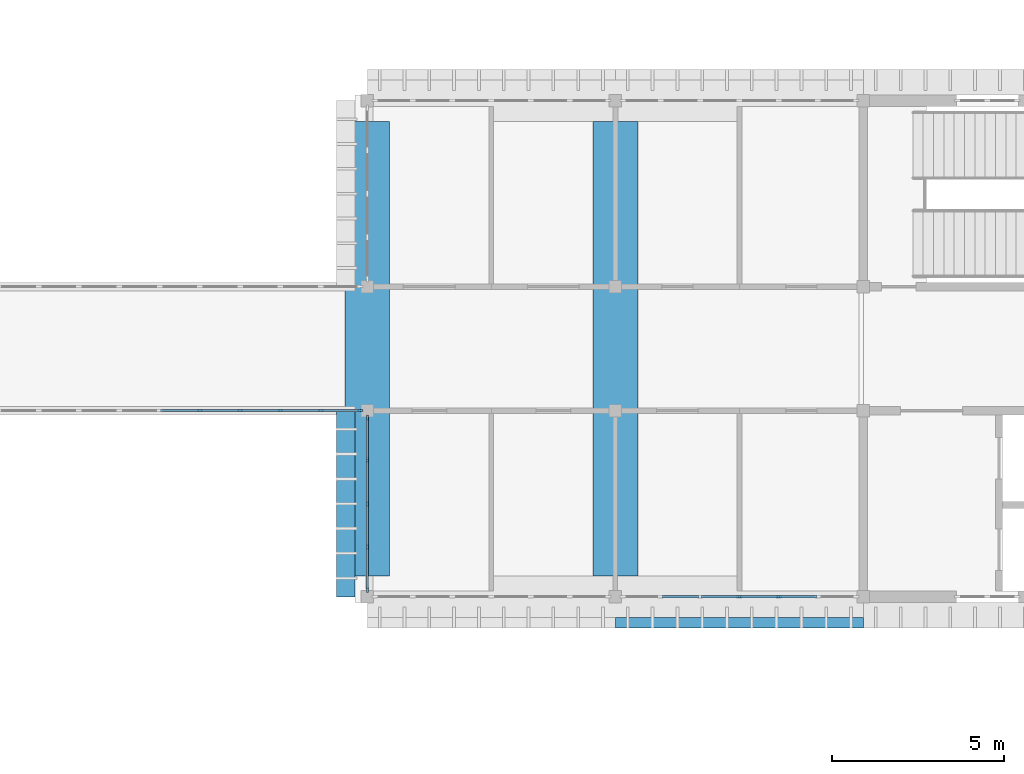
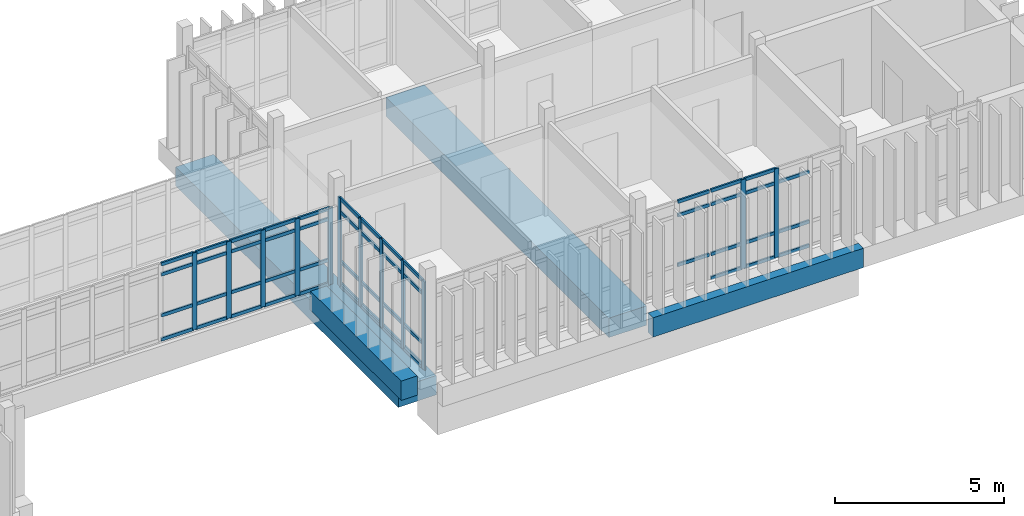
# One storey, part 16 of 69: 64 members, 2 beams, 3 elements without a shape of their own.
"""IFC4 building model written with IfcOpenShell, lengths in metres."""

from ifc_helpers import new_model, si_unit, direction, frame, origin, origin_2d, place, context, subcontext, project, spatial, rectangle, extrude, material, layer, layer_set, material_profile, profile_set, type_object, element, aggregate, save


model = new_model("IFC4")

# Units and contexts
model_context = context("Model", 3, precision=1e-05, world=origin(), true_north=direction((0.0, 1.0)))
body_context = subcontext(model_context, "Body", "Model", "MODEL_VIEW")
ifc_project = project(units=[si_unit("LENGTHUNIT", "METRE"), si_unit("AREAUNIT", "SQUARE_METRE"), si_unit("VOLUMEUNIT", "CUBIC_METRE"), si_unit("PLANEANGLEUNIT", "RADIAN"), si_unit("MASSUNIT", "GRAM", prefix="KILO")], contexts=[model_context])

# Site, building, storey
site_placement = place(None, origin())
site = spatial("IfcSite", under=ifc_project, at=site_placement, CompositionType="ELEMENT")
building_placement = place(site_placement, origin())
building = spatial("IfcBuilding", under=site, at=building_placement, Name="Mazhai Court Health Centre", CompositionType="ELEMENT")
storey_placement = place(building_placement, frame((0.0, 0.0, 6.300048828125)))
storey = spatial("IfcBuildingStorey", under=building, at=storey_placement, Name="L01", CompositionType="ELEMENT", Elevation=6.300048828125)

# Curtain wall, members
ifc_material_1 = material(Name="Teak timber frame, glazed", Category="wood")
ifc_layer = layer(ifc_material_1, 0.10009765625)
ifc_layer_set = layer_set([ifc_layer], Name="CURTAIN WALL TIMBER 1200")
curtain_wall_type = type_object("IfcCurtainWallType", Name="CURTAIN WALL TIMBER 1200", PredefinedType="NOTDEFINED", material=ifc_layer_set)
curtain_wall_1_placement = place(storey_placement, origin())
curtain_wall_1 = element("IfcCurtainWall", 1, at=curtain_wall_1_placement, inside=storey, type_object=curtain_wall_type, Name="CW-V4-L01-A6", PredefinedType="NOTDEFINED")
ifc_material_2 = material(Name="Teak timber", Category="wood")
ifc_material_profile_1 = material_profile(ifc_material_2, rectangle(XDim=0.06005859375, YDim=0.159912109375, at=origin_2d()), Name="CW MULLION 60x160")
ifc_profile_set_1 = profile_set([ifc_material_profile_1], Name="Teak timber")
member_type_1 = type_object("IfcMemberType", Name="CW MULLION 60x160", PredefinedType="MULLION", material=ifc_profile_set_1)
member_1_placement = place(storey_placement, frame((118.93994140625, 13.39990234375, 0.0), z_axis=(0.0, 0.0, 1.0), x_axis=(0.0, -1.0, 0.0)))
member_1 = element("IfcMember", 2, at=member_1_placement, type_object=member_type_1, Name="CW mullion 3", PredefinedType="MULLION", context=body_context, shape_type="SweptSolid", body=[
    extrude(rectangle(XDim=0.06005859375, YDim=0.159912109375, at=origin_2d()), origin(), (0.0, 0.0, 1.0), 3.219970703125),
])
member_2_placement = place(storey_placement, frame((117.800048828125, 13.39990234375, 0.0), z_axis=(0.0, 0.0, 1.0), x_axis=(0.0, -1.0, 0.0)))
member_2 = element("IfcMember", 3, at=member_2_placement, type_object=member_type_1, Name="CW mullion 4", PredefinedType="MULLION", context=body_context, shape_type="SweptSolid", body=[
    extrude(rectangle(XDim=0.06005859375, YDim=0.159912109375, at=origin_2d()), origin(), (0.0, 0.0, 1.0), 3.219970703125),
])

curtain_wall_2_placement = place(storey_placement, origin())
curtain_wall_2 = element("IfcCurtainWall", 4, at=curtain_wall_2_placement, inside=storey, type_object=curtain_wall_type, Name="CW-V4-L01-CW5-0", PredefinedType="NOTDEFINED")
member_3_placement = place(storey_placement, frame((107.0, 13.610107421875, 0.0), z_axis=(0.0, 0.0, 1.0), x_axis=(-1.0, 0.0, 0.0)))
member_3 = element("IfcMember", 5, at=member_3_placement, type_object=member_type_1, Name="CW mullion 1", PredefinedType="MULLION", context=body_context, shape_type="SweptSolid", body=[
    extrude(rectangle(XDim=0.06005859375, YDim=0.159912109375, at=origin_2d()), origin(), (0.0, 0.0, 1.0), 3.199951171875),
])
member_4_placement = place(storey_placement, frame((107.0, 14.840087890625, 0.0), z_axis=(0.0, 0.0, 1.0), x_axis=(-1.0, 0.0, 0.0)))
member_4 = element("IfcMember", 6, at=member_4_placement, type_object=member_type_1, Name="CW mullion 2", PredefinedType="MULLION", context=body_context, shape_type="SweptSolid", body=[
    extrude(rectangle(XDim=0.06005859375, YDim=0.159912109375, at=origin_2d()), origin(), (0.0, 0.0, 1.0), 3.199951171875),
])
member_5_placement = place(storey_placement, frame((107.0, 16.10009765625, 0.0), z_axis=(0.0, 0.0, 1.0), x_axis=(-1.0, 0.0, 0.0)))
member_5 = element("IfcMember", 7, at=member_5_placement, type_object=member_type_1, Name="CW mullion 3", PredefinedType="MULLION", context=body_context, shape_type="SweptSolid", body=[
    extrude(rectangle(XDim=0.06005859375, YDim=0.159912109375, at=origin_2d()), origin(), (0.0, 0.0, 1.0), 3.199951171875),
])
member_6_placement = place(storey_placement, frame((107.0, 17.360107421875, 0.0), z_axis=(0.0, 0.0, 1.0), x_axis=(-1.0, 0.0, 0.0)))
member_6 = element("IfcMember", 8, at=member_6_placement, type_object=member_type_1, Name="CW mullion 4", PredefinedType="MULLION", context=body_context, shape_type="SweptSolid", body=[
    extrude(rectangle(XDim=0.06005859375, YDim=0.159912109375, at=origin_2d()), origin(), (0.0, 0.0, 1.0), 3.199951171875),
])
member_7_placement = place(storey_placement, frame((107.0, 18.590087890625, 0.0), z_axis=(0.0, 0.0, 1.0), x_axis=(-1.0, 0.0, 0.0)))
member_7 = element("IfcMember", 9, at=member_7_placement, type_object=member_type_1, Name="CW mullion 5", PredefinedType="MULLION", context=body_context, shape_type="SweptSolid", body=[
    extrude(rectangle(XDim=0.06005859375, YDim=0.159912109375, at=origin_2d()), origin(), (0.0, 0.0, 1.0), 3.199951171875),
])

curtain_wall_3_placement = place(storey_placement, origin())
curtain_wall_3 = element("IfcCurtainWall", 10, at=curtain_wall_3_placement, inside=storey, type_object=curtain_wall_type, Name="CW-BR-LC1-S", PredefinedType="NOTDEFINED")
member_8_placement = place(storey_placement, frame((102.139892578125, 18.800048828125, 0.0), z_axis=(0.0, 0.0, 1.0), x_axis=(0.0, 1.0, 0.0)))
member_8 = element("IfcMember", 11, at=member_8_placement, type_object=member_type_1, Name="CW mullion 9", PredefinedType="MULLION", context=body_context, shape_type="SweptSolid", body=[
    extrude(rectangle(XDim=0.06005859375, YDim=0.159912109375, at=origin_2d()), origin(), (0.0, 0.0, 1.0), 2.780029296875),
])
member_9_placement = place(storey_placement, frame((103.31005859375, 18.800048828125, 0.0), z_axis=(0.0, 0.0, 1.0), x_axis=(0.0, 1.0, 0.0)))
member_9 = element("IfcMember", 12, at=member_9_placement, type_object=member_type_1, Name="CW mullion 10", PredefinedType="MULLION", context=body_context, shape_type="SweptSolid", body=[
    extrude(rectangle(XDim=0.06005859375, YDim=0.159912109375, at=origin_2d()), origin(), (0.0, 0.0, 1.0), 2.780029296875),
])
member_10_placement = place(storey_placement, frame((104.47998046875, 18.800048828125, 0.0), z_axis=(0.0, 0.0, 1.0), x_axis=(0.0, 1.0, 0.0)))
member_10 = element("IfcMember", 13, at=member_10_placement, type_object=member_type_1, Name="CW mullion 11", PredefinedType="MULLION", context=body_context, shape_type="SweptSolid", body=[
    extrude(rectangle(XDim=0.06005859375, YDim=0.159912109375, at=origin_2d()), origin(), (0.0, 0.0, 1.0), 2.780029296875),
])
member_11_placement = place(storey_placement, frame((105.64990234375, 18.800048828125, 0.0), z_axis=(0.0, 0.0, 1.0), x_axis=(0.0, 1.0, 0.0)))
member_11 = element("IfcMember", 14, at=member_11_placement, type_object=member_type_1, Name="CW mullion 12", PredefinedType="MULLION", context=body_context, shape_type="SweptSolid", body=[
    extrude(rectangle(XDim=0.06005859375, YDim=0.159912109375, at=origin_2d()), origin(), (0.0, 0.0, 1.0), 2.780029296875),
])
member_12_placement = place(storey_placement, frame((106.7900390625, 18.800048828125, 0.0), z_axis=(0.0, 0.0, 1.0), x_axis=(0.0, 1.0, 0.0)))
member_12 = element("IfcMember", 15, at=member_12_placement, type_object=member_type_1, Name="CW mullion 13", PredefinedType="MULLION", context=body_context, shape_type="SweptSolid", body=[
    extrude(rectangle(XDim=0.06005859375, YDim=0.159912109375, at=origin_2d()), origin(), (0.0, 0.0, 1.0), 2.780029296875),
])

# Member
ifc_material_3 = material(Name="Teak timber", Category="wood")
ifc_material_profile_2 = material_profile(ifc_material_3, rectangle(XDim=0.06005859375, YDim=0.1201171875, at=origin_2d()), Name="CW TRANSOM 60x120")
ifc_profile_set_2 = profile_set([ifc_material_profile_2], Name="Teak timber")
member_type_2 = type_object("IfcMemberType", Name="CW TRANSOM 60x120", PredefinedType="USERDEFINED", material=ifc_profile_set_2)
member_13_placement = place(storey_placement, frame((120.050048828125, 13.39990234375, 0.030029296875), z_axis=(-1.0, 0.0, 0.0), x_axis=(0.0, -1.0, 0.0)))
member_13 = element("IfcMember", 16, at=member_13_placement, type_object=member_type_2, Name="CW transom 2.1", ObjectType="TRANSOM", PredefinedType="USERDEFINED", context=body_context, shape_type="SweptSolid", body=[
    extrude(rectangle(XDim=0.06005859375, YDim=0.1201171875, at=origin_2d()), origin(), (0.0, 0.0, 1.0), 1.080078125),
])

member_14_placement = place(storey_placement, frame((120.050048828125, 13.39990234375, 0.89990234375), z_axis=(-1.0, 0.0, 0.0), x_axis=(0.0, -1.0, 0.0)))
member_14 = element("IfcMember", 17, at=member_14_placement, type_object=member_type_2, Name="CW transom 2.2", ObjectType="TRANSOM", PredefinedType="USERDEFINED", context=body_context, shape_type="SweptSolid", body=[
    extrude(rectangle(XDim=0.06005859375, YDim=0.1201171875, at=origin_2d()), origin(), (0.0, 0.0, 1.0), 1.080078125),
])

member_15_placement = place(storey_placement, frame((120.050048828125, 13.39990234375, 2.699951171875), z_axis=(-1.0, 0.0, 0.0), x_axis=(0.0, -1.0, 0.0)))
member_15 = element("IfcMember", 18, at=member_15_placement, type_object=member_type_2, Name="CW transom 2.3", ObjectType="TRANSOM", PredefinedType="USERDEFINED", context=body_context, shape_type="SweptSolid", body=[
    extrude(rectangle(XDim=0.06005859375, YDim=0.1201171875, at=origin_2d()), origin(), (0.0, 0.0, 1.0), 1.080078125),
])

member_16_placement = place(storey_placement, frame((118.909912109375, 13.39990234375, 0.030029296875), z_axis=(-1.0, 0.0, 0.0), x_axis=(0.0, -1.0, 0.0)))
member_16 = element("IfcMember", 19, at=member_16_placement, type_object=member_type_2, Name="CW transom 3.1", ObjectType="TRANSOM", PredefinedType="USERDEFINED", context=body_context, shape_type="SweptSolid", body=[
    extrude(rectangle(XDim=0.06005859375, YDim=0.1201171875, at=origin_2d()), origin(), (0.0, 0.0, 1.0), 1.079833984375),
])

member_17_placement = place(storey_placement, frame((118.909912109375, 13.39990234375, 0.89990234375), z_axis=(-1.0, 0.0, 0.0), x_axis=(0.0, -1.0, 0.0)))
member_17 = element("IfcMember", 20, at=member_17_placement, type_object=member_type_2, Name="CW transom 3.2", ObjectType="TRANSOM", PredefinedType="USERDEFINED", context=body_context, shape_type="SweptSolid", body=[
    extrude(rectangle(XDim=0.06005859375, YDim=0.1201171875, at=origin_2d()), origin(), (0.0, 0.0, 1.0), 1.079833984375),
])

member_18_placement = place(storey_placement, frame((118.909912109375, 13.39990234375, 2.699951171875), z_axis=(-1.0, 0.0, 0.0), x_axis=(0.0, -1.0, 0.0)))
member_18 = element("IfcMember", 21, at=member_18_placement, type_object=member_type_2, Name="CW transom 3.3", ObjectType="TRANSOM", PredefinedType="USERDEFINED", context=body_context, shape_type="SweptSolid", body=[
    extrude(rectangle(XDim=0.06005859375, YDim=0.1201171875, at=origin_2d()), origin(), (0.0, 0.0, 1.0), 1.079833984375),
])

member_19_placement = place(storey_placement, frame((118.909912109375, 13.39990234375, 3.18994140625), z_axis=(-1.0, 0.0, 0.0), x_axis=(0.0, -1.0, 0.0)))
member_19 = element("IfcMember", 22, at=member_19_placement, type_object=member_type_2, Name="CW transom 3.4", ObjectType="TRANSOM", PredefinedType="USERDEFINED", context=body_context, shape_type="SweptSolid", body=[
    extrude(rectangle(XDim=0.06005859375, YDim=0.1201171875, at=origin_2d()), origin(), (0.0, 0.0, 1.0), 1.079833984375),
])

member_20_placement = place(storey_placement, frame((117.77001953125, 13.39990234375, 0.030029296875), z_axis=(-1.0, 0.0, 0.0), x_axis=(0.0, -1.0, 0.0)))
member_20 = element("IfcMember", 23, at=member_20_placement, type_object=member_type_2, Name="CW transom 4.1", ObjectType="TRANSOM", PredefinedType="USERDEFINED", context=body_context, shape_type="SweptSolid", body=[
    extrude(rectangle(XDim=0.06005859375, YDim=0.1201171875, at=origin_2d()), origin(), (0.0, 0.0, 1.0), 1.080078125),
])

member_21_placement = place(storey_placement, frame((117.77001953125, 13.39990234375, 0.89990234375), z_axis=(-1.0, 0.0, 0.0), x_axis=(0.0, -1.0, 0.0)))
member_21 = element("IfcMember", 24, at=member_21_placement, type_object=member_type_2, Name="CW transom 4.2", ObjectType="TRANSOM", PredefinedType="USERDEFINED", context=body_context, shape_type="SweptSolid", body=[
    extrude(rectangle(XDim=0.06005859375, YDim=0.1201171875, at=origin_2d()), origin(), (0.0, 0.0, 1.0), 1.080078125),
])

member_22_placement = place(storey_placement, frame((117.77001953125, 13.39990234375, 2.699951171875), z_axis=(-1.0, 0.0, 0.0), x_axis=(0.0, -1.0, 0.0)))
member_22 = element("IfcMember", 25, at=member_22_placement, type_object=member_type_2, Name="CW transom 4.3", ObjectType="TRANSOM", PredefinedType="USERDEFINED", context=body_context, shape_type="SweptSolid", body=[
    extrude(rectangle(XDim=0.06005859375, YDim=0.1201171875, at=origin_2d()), origin(), (0.0, 0.0, 1.0), 1.080078125),
])

member_23_placement = place(storey_placement, frame((117.77001953125, 13.39990234375, 3.18994140625), z_axis=(-1.0, 0.0, 0.0), x_axis=(0.0, -1.0, 0.0)))
member_23 = element("IfcMember", 26, at=member_23_placement, type_object=member_type_2, Name="CW transom 4.4", ObjectType="TRANSOM", PredefinedType="USERDEFINED", context=body_context, shape_type="SweptSolid", body=[
    extrude(rectangle(XDim=0.06005859375, YDim=0.1201171875, at=origin_2d()), origin(), (0.0, 0.0, 1.0), 1.080078125),
])

member_24_placement = place(storey_placement, frame((116.6298828125, 13.39990234375, 0.89990234375), z_axis=(-1.0, 0.0, 0.0), x_axis=(0.0, -1.0, 0.0)))
member_24 = element("IfcMember", 27, at=member_24_placement, type_object=member_type_2, Name="CW transom 5.2", ObjectType="TRANSOM", PredefinedType="USERDEFINED", context=body_context, shape_type="SweptSolid", body=[
    extrude(rectangle(XDim=0.06005859375, YDim=0.1201171875, at=origin_2d()), origin(), (0.0, 0.0, 1.0), 1.079833984375),
])

member_25_placement = place(storey_placement, frame((116.6298828125, 13.39990234375, 2.699951171875), z_axis=(-1.0, 0.0, 0.0), x_axis=(0.0, -1.0, 0.0)))
member_25 = element("IfcMember", 28, at=member_25_placement, type_object=member_type_2, Name="CW transom 5.3", ObjectType="TRANSOM", PredefinedType="USERDEFINED", context=body_context, shape_type="SweptSolid", body=[
    extrude(rectangle(XDim=0.06005859375, YDim=0.1201171875, at=origin_2d()), origin(), (0.0, 0.0, 1.0), 1.079833984375),
])

member_26_placement = place(storey_placement, frame((116.6298828125, 13.39990234375, 3.18994140625), z_axis=(-1.0, 0.0, 0.0), x_axis=(0.0, -1.0, 0.0)))
member_26 = element("IfcMember", 29, at=member_26_placement, type_object=member_type_2, Name="CW transom 5.4", ObjectType="TRANSOM", PredefinedType="USERDEFINED", context=body_context, shape_type="SweptSolid", body=[
    extrude(rectangle(XDim=0.06005859375, YDim=0.1201171875, at=origin_2d()), origin(), (0.0, 0.0, 1.0), 1.079833984375),
])

aggregate(curtain_wall_1, [member_1, member_2, member_13, member_14, member_15, member_16, member_17, member_18, member_19, member_20, member_21, member_22, member_23, member_24, member_25, member_26])

member_27_placement = place(storey_placement, frame((107.0, 13.639892578125, 0.030029296875), z_axis=(0.0, 1.0, 0.0), x_axis=(-1.0, 0.0, 0.0)))
member_27 = element("IfcMember", 30, at=member_27_placement, type_object=member_type_2, Name="CW transom 1.1", ObjectType="TRANSOM", PredefinedType="USERDEFINED", context=body_context, shape_type="SweptSolid", body=[
    extrude(rectangle(XDim=0.06005859375, YDim=0.1201171875, at=origin_2d()), origin(), (0.0, 0.0, 1.0), 1.170166015625),
])

member_28_placement = place(storey_placement, frame((107.0, 13.639892578125, 0.89990234375), z_axis=(0.0, 1.0, 0.0), x_axis=(-1.0, 0.0, 0.0)))
member_28 = element("IfcMember", 31, at=member_28_placement, type_object=member_type_2, Name="CW transom 1.2", ObjectType="TRANSOM", PredefinedType="USERDEFINED", context=body_context, shape_type="SweptSolid", body=[
    extrude(rectangle(XDim=0.06005859375, YDim=0.1201171875, at=origin_2d()), origin(), (0.0, 0.0, 1.0), 1.170166015625),
])

member_29_placement = place(storey_placement, frame((107.0, 13.639892578125, 2.699951171875), z_axis=(0.0, 1.0, 0.0), x_axis=(-1.0, 0.0, 0.0)))
member_29 = element("IfcMember", 32, at=member_29_placement, type_object=member_type_2, Name="CW transom 1.3", ObjectType="TRANSOM", PredefinedType="USERDEFINED", context=body_context, shape_type="SweptSolid", body=[
    extrude(rectangle(XDim=0.06005859375, YDim=0.1201171875, at=origin_2d()), origin(), (0.0, 0.0, 1.0), 1.170166015625),
])

member_30_placement = place(storey_placement, frame((107.0, 13.639892578125, 3.169921875), z_axis=(0.0, 1.0, 0.0), x_axis=(-1.0, 0.0, 0.0)))
member_30 = element("IfcMember", 33, at=member_30_placement, type_object=member_type_2, Name="CW transom 1.4", ObjectType="TRANSOM", PredefinedType="USERDEFINED", context=body_context, shape_type="SweptSolid", body=[
    extrude(rectangle(XDim=0.06005859375, YDim=0.1201171875, at=origin_2d()), origin(), (0.0, 0.0, 1.0), 1.170166015625),
])

member_31_placement = place(storey_placement, frame((107.0, 14.8701171875, 0.030029296875), z_axis=(0.0, 1.0, 0.0), x_axis=(-1.0, 0.0, 0.0)))
member_31 = element("IfcMember", 34, at=member_31_placement, type_object=member_type_2, Name="CW transom 2.1", ObjectType="TRANSOM", PredefinedType="USERDEFINED", context=body_context, shape_type="SweptSolid", body=[
    extrude(rectangle(XDim=0.06005859375, YDim=0.1201171875, at=origin_2d()), origin(), (0.0, 0.0, 1.0), 1.199951171875),
])

member_32_placement = place(storey_placement, frame((107.0, 14.8701171875, 0.89990234375), z_axis=(0.0, 1.0, 0.0), x_axis=(-1.0, 0.0, 0.0)))
member_32 = element("IfcMember", 35, at=member_32_placement, type_object=member_type_2, Name="CW transom 2.2", ObjectType="TRANSOM", PredefinedType="USERDEFINED", context=body_context, shape_type="SweptSolid", body=[
    extrude(rectangle(XDim=0.06005859375, YDim=0.1201171875, at=origin_2d()), origin(), (0.0, 0.0, 1.0), 1.199951171875),
])

member_33_placement = place(storey_placement, frame((107.0, 14.8701171875, 2.699951171875), z_axis=(0.0, 1.0, 0.0), x_axis=(-1.0, 0.0, 0.0)))
member_33 = element("IfcMember", 36, at=member_33_placement, type_object=member_type_2, Name="CW transom 2.3", ObjectType="TRANSOM", PredefinedType="USERDEFINED", context=body_context, shape_type="SweptSolid", body=[
    extrude(rectangle(XDim=0.06005859375, YDim=0.1201171875, at=origin_2d()), origin(), (0.0, 0.0, 1.0), 1.199951171875),
])

member_34_placement = place(storey_placement, frame((107.0, 14.8701171875, 3.169921875), z_axis=(0.0, 1.0, 0.0), x_axis=(-1.0, 0.0, 0.0)))
member_34 = element("IfcMember", 37, at=member_34_placement, type_object=member_type_2, Name="CW transom 2.4", ObjectType="TRANSOM", PredefinedType="USERDEFINED", context=body_context, shape_type="SweptSolid", body=[
    extrude(rectangle(XDim=0.06005859375, YDim=0.1201171875, at=origin_2d()), origin(), (0.0, 0.0, 1.0), 1.199951171875),
])

member_35_placement = place(storey_placement, frame((107.0, 16.1298828125, 0.030029296875), z_axis=(0.0, 1.0, 0.0), x_axis=(-1.0, 0.0, 0.0)))
member_35 = element("IfcMember", 38, at=member_35_placement, type_object=member_type_2, Name="CW transom 3.1", ObjectType="TRANSOM", PredefinedType="USERDEFINED", context=body_context, shape_type="SweptSolid", body=[
    extrude(rectangle(XDim=0.06005859375, YDim=0.1201171875, at=origin_2d()), origin(), (0.0, 0.0, 1.0), 1.2001953125),
])

member_36_placement = place(storey_placement, frame((107.0, 16.1298828125, 0.89990234375), z_axis=(0.0, 1.0, 0.0), x_axis=(-1.0, 0.0, 0.0)))
member_36 = element("IfcMember", 39, at=member_36_placement, type_object=member_type_2, Name="CW transom 3.2", ObjectType="TRANSOM", PredefinedType="USERDEFINED", context=body_context, shape_type="SweptSolid", body=[
    extrude(rectangle(XDim=0.06005859375, YDim=0.1201171875, at=origin_2d()), origin(), (0.0, 0.0, 1.0), 1.2001953125),
])

member_37_placement = place(storey_placement, frame((107.0, 16.1298828125, 2.699951171875), z_axis=(0.0, 1.0, 0.0), x_axis=(-1.0, 0.0, 0.0)))
member_37 = element("IfcMember", 40, at=member_37_placement, type_object=member_type_2, Name="CW transom 3.3", ObjectType="TRANSOM", PredefinedType="USERDEFINED", context=body_context, shape_type="SweptSolid", body=[
    extrude(rectangle(XDim=0.06005859375, YDim=0.1201171875, at=origin_2d()), origin(), (0.0, 0.0, 1.0), 1.2001953125),
])

member_38_placement = place(storey_placement, frame((107.0, 16.1298828125, 3.169921875), z_axis=(0.0, 1.0, 0.0), x_axis=(-1.0, 0.0, 0.0)))
member_38 = element("IfcMember", 41, at=member_38_placement, type_object=member_type_2, Name="CW transom 3.4", ObjectType="TRANSOM", PredefinedType="USERDEFINED", context=body_context, shape_type="SweptSolid", body=[
    extrude(rectangle(XDim=0.06005859375, YDim=0.1201171875, at=origin_2d()), origin(), (0.0, 0.0, 1.0), 1.2001953125),
])

member_39_placement = place(storey_placement, frame((107.0, 17.389892578125, 0.030029296875), z_axis=(0.0, 1.0, 0.0), x_axis=(-1.0, 0.0, 0.0)))
member_39 = element("IfcMember", 42, at=member_39_placement, type_object=member_type_2, Name="CW transom 4.1", ObjectType="TRANSOM", PredefinedType="USERDEFINED", context=body_context, shape_type="SweptSolid", body=[
    extrude(rectangle(XDim=0.06005859375, YDim=0.1201171875, at=origin_2d()), origin(), (0.0, 0.0, 1.0), 1.170166015625),
])

member_40_placement = place(storey_placement, frame((107.0, 17.389892578125, 0.89990234375), z_axis=(0.0, 1.0, 0.0), x_axis=(-1.0, 0.0, 0.0)))
member_40 = element("IfcMember", 43, at=member_40_placement, type_object=member_type_2, Name="CW transom 4.2", ObjectType="TRANSOM", PredefinedType="USERDEFINED", context=body_context, shape_type="SweptSolid", body=[
    extrude(rectangle(XDim=0.06005859375, YDim=0.1201171875, at=origin_2d()), origin(), (0.0, 0.0, 1.0), 1.170166015625),
])

member_41_placement = place(storey_placement, frame((107.0, 17.389892578125, 2.699951171875), z_axis=(0.0, 1.0, 0.0), x_axis=(-1.0, 0.0, 0.0)))
member_41 = element("IfcMember", 44, at=member_41_placement, type_object=member_type_2, Name="CW transom 4.3", ObjectType="TRANSOM", PredefinedType="USERDEFINED", context=body_context, shape_type="SweptSolid", body=[
    extrude(rectangle(XDim=0.06005859375, YDim=0.1201171875, at=origin_2d()), origin(), (0.0, 0.0, 1.0), 1.170166015625),
])

member_42_placement = place(storey_placement, frame((107.0, 17.389892578125, 3.169921875), z_axis=(0.0, 1.0, 0.0), x_axis=(-1.0, 0.0, 0.0)))
member_42 = element("IfcMember", 45, at=member_42_placement, type_object=member_type_2, Name="CW transom 4.4", ObjectType="TRANSOM", PredefinedType="USERDEFINED", context=body_context, shape_type="SweptSolid", body=[
    extrude(rectangle(XDim=0.06005859375, YDim=0.1201171875, at=origin_2d()), origin(), (0.0, 0.0, 1.0), 1.170166015625),
])

aggregate(curtain_wall_2, [member_3, member_4, member_5, member_6, member_7, member_27, member_28, member_29, member_30, member_31, member_32, member_33, member_34, member_35, member_36, member_37, member_38, member_39, member_40, member_41, member_42])

member_43_placement = place(storey_placement, frame((101.0, 18.800048828125, 0.030029296875), z_axis=(1.0, 0.0, 0.0), x_axis=(0.0, 1.0, 0.0)))
member_43 = element("IfcMember", 46, at=member_43_placement, type_object=member_type_2, Name="CW transom 8.1", ObjectType="TRANSOM", PredefinedType="USERDEFINED", context=body_context, shape_type="SweptSolid", body=[
    extrude(rectangle(XDim=0.06005859375, YDim=0.1201171875, at=origin_2d()), origin(), (0.0, 0.0, 1.0), 1.110107421875),
])

member_44_placement = place(storey_placement, frame((101.0, 18.800048828125, 0.89990234375), z_axis=(1.0, 0.0, 0.0), x_axis=(0.0, 1.0, 0.0)))
member_44 = element("IfcMember", 47, at=member_44_placement, type_object=member_type_2, Name="CW transom 8.2", ObjectType="TRANSOM", PredefinedType="USERDEFINED", context=body_context, shape_type="SweptSolid", body=[
    extrude(rectangle(XDim=0.06005859375, YDim=0.1201171875, at=origin_2d()), origin(), (0.0, 0.0, 1.0), 1.110107421875),
])

member_45_placement = place(storey_placement, frame((101.0, 18.800048828125, 2.3798828125), z_axis=(1.0, 0.0, 0.0), x_axis=(0.0, 1.0, 0.0)))
member_45 = element("IfcMember", 48, at=member_45_placement, type_object=member_type_2, Name="CW transom 8.3", ObjectType="TRANSOM", PredefinedType="USERDEFINED", context=body_context, shape_type="SweptSolid", body=[
    extrude(rectangle(XDim=0.06005859375, YDim=0.1201171875, at=origin_2d()), origin(), (0.0, 0.0, 1.0), 1.110107421875),
])

member_46_placement = place(storey_placement, frame((101.0, 18.800048828125, 2.75), z_axis=(1.0, 0.0, 0.0), x_axis=(0.0, 1.0, 0.0)))
member_46 = element("IfcMember", 49, at=member_46_placement, type_object=member_type_2, Name="CW transom 8.4", ObjectType="TRANSOM", PredefinedType="USERDEFINED", context=body_context, shape_type="SweptSolid", body=[
    extrude(rectangle(XDim=0.06005859375, YDim=0.1201171875, at=origin_2d()), origin(), (0.0, 0.0, 1.0), 1.110107421875),
])

member_47_placement = place(storey_placement, frame((102.169921875, 18.800048828125, 0.030029296875), z_axis=(1.0, 0.0, 0.0), x_axis=(0.0, 1.0, 0.0)))
member_47 = element("IfcMember", 50, at=member_47_placement, type_object=member_type_2, Name="CW transom 9.1", ObjectType="TRANSOM", PredefinedType="USERDEFINED", context=body_context, shape_type="SweptSolid", body=[
    extrude(rectangle(XDim=0.06005859375, YDim=0.1201171875, at=origin_2d()), origin(), (0.0, 0.0, 1.0), 1.110107421875),
])

member_48_placement = place(storey_placement, frame((102.169921875, 18.800048828125, 0.89990234375), z_axis=(1.0, 0.0, 0.0), x_axis=(0.0, 1.0, 0.0)))
member_48 = element("IfcMember", 51, at=member_48_placement, type_object=member_type_2, Name="CW transom 9.2", ObjectType="TRANSOM", PredefinedType="USERDEFINED", context=body_context, shape_type="SweptSolid", body=[
    extrude(rectangle(XDim=0.06005859375, YDim=0.1201171875, at=origin_2d()), origin(), (0.0, 0.0, 1.0), 1.110107421875),
])

member_49_placement = place(storey_placement, frame((102.169921875, 18.800048828125, 2.3798828125), z_axis=(1.0, 0.0, 0.0), x_axis=(0.0, 1.0, 0.0)))
member_49 = element("IfcMember", 52, at=member_49_placement, type_object=member_type_2, Name="CW transom 9.3", ObjectType="TRANSOM", PredefinedType="USERDEFINED", context=body_context, shape_type="SweptSolid", body=[
    extrude(rectangle(XDim=0.06005859375, YDim=0.1201171875, at=origin_2d()), origin(), (0.0, 0.0, 1.0), 1.110107421875),
])

member_50_placement = place(storey_placement, frame((102.169921875, 18.800048828125, 2.75), z_axis=(1.0, 0.0, 0.0), x_axis=(0.0, 1.0, 0.0)))
member_50 = element("IfcMember", 53, at=member_50_placement, type_object=member_type_2, Name="CW transom 9.4", ObjectType="TRANSOM", PredefinedType="USERDEFINED", context=body_context, shape_type="SweptSolid", body=[
    extrude(rectangle(XDim=0.06005859375, YDim=0.1201171875, at=origin_2d()), origin(), (0.0, 0.0, 1.0), 1.110107421875),
])

member_51_placement = place(storey_placement, frame((103.340087890625, 18.800048828125, 0.030029296875), z_axis=(1.0, 0.0, 0.0), x_axis=(0.0, 1.0, 0.0)))
member_51 = element("IfcMember", 54, at=member_51_placement, type_object=member_type_2, Name="CW transom 10.1", ObjectType="TRANSOM", PredefinedType="USERDEFINED", context=body_context, shape_type="SweptSolid", body=[
    extrude(rectangle(XDim=0.06005859375, YDim=0.1201171875, at=origin_2d()), origin(), (0.0, 0.0, 1.0), 1.10986328125),
])

member_52_placement = place(storey_placement, frame((103.340087890625, 18.800048828125, 0.89990234375), z_axis=(1.0, 0.0, 0.0), x_axis=(0.0, 1.0, 0.0)))
member_52 = element("IfcMember", 55, at=member_52_placement, type_object=member_type_2, Name="CW transom 10.2", ObjectType="TRANSOM", PredefinedType="USERDEFINED", context=body_context, shape_type="SweptSolid", body=[
    extrude(rectangle(XDim=0.06005859375, YDim=0.1201171875, at=origin_2d()), origin(), (0.0, 0.0, 1.0), 1.10986328125),
])

member_53_placement = place(storey_placement, frame((103.340087890625, 18.800048828125, 2.3798828125), z_axis=(1.0, 0.0, 0.0), x_axis=(0.0, 1.0, 0.0)))
member_53 = element("IfcMember", 56, at=member_53_placement, type_object=member_type_2, Name="CW transom 10.3", ObjectType="TRANSOM", PredefinedType="USERDEFINED", context=body_context, shape_type="SweptSolid", body=[
    extrude(rectangle(XDim=0.06005859375, YDim=0.1201171875, at=origin_2d()), origin(), (0.0, 0.0, 1.0), 1.10986328125),
])

member_54_placement = place(storey_placement, frame((103.340087890625, 18.800048828125, 2.75), z_axis=(1.0, 0.0, 0.0), x_axis=(0.0, 1.0, 0.0)))
member_54 = element("IfcMember", 57, at=member_54_placement, type_object=member_type_2, Name="CW transom 10.4", ObjectType="TRANSOM", PredefinedType="USERDEFINED", context=body_context, shape_type="SweptSolid", body=[
    extrude(rectangle(XDim=0.06005859375, YDim=0.1201171875, at=origin_2d()), origin(), (0.0, 0.0, 1.0), 1.10986328125),
])

member_55_placement = place(storey_placement, frame((104.510009765625, 18.800048828125, 0.030029296875), z_axis=(1.0, 0.0, 0.0), x_axis=(0.0, 1.0, 0.0)))
member_55 = element("IfcMember", 58, at=member_55_placement, type_object=member_type_2, Name="CW transom 11.1", ObjectType="TRANSOM", PredefinedType="USERDEFINED", context=body_context, shape_type="SweptSolid", body=[
    extrude(rectangle(XDim=0.06005859375, YDim=0.1201171875, at=origin_2d()), origin(), (0.0, 0.0, 1.0), 1.110107421875),
])

member_56_placement = place(storey_placement, frame((104.510009765625, 18.800048828125, 0.89990234375), z_axis=(1.0, 0.0, 0.0), x_axis=(0.0, 1.0, 0.0)))
member_56 = element("IfcMember", 59, at=member_56_placement, type_object=member_type_2, Name="CW transom 11.2", ObjectType="TRANSOM", PredefinedType="USERDEFINED", context=body_context, shape_type="SweptSolid", body=[
    extrude(rectangle(XDim=0.06005859375, YDim=0.1201171875, at=origin_2d()), origin(), (0.0, 0.0, 1.0), 1.110107421875),
])

member_57_placement = place(storey_placement, frame((104.510009765625, 18.800048828125, 2.3798828125), z_axis=(1.0, 0.0, 0.0), x_axis=(0.0, 1.0, 0.0)))
member_57 = element("IfcMember", 60, at=member_57_placement, type_object=member_type_2, Name="CW transom 11.3", ObjectType="TRANSOM", PredefinedType="USERDEFINED", context=body_context, shape_type="SweptSolid", body=[
    extrude(rectangle(XDim=0.06005859375, YDim=0.1201171875, at=origin_2d()), origin(), (0.0, 0.0, 1.0), 1.110107421875),
])

member_58_placement = place(storey_placement, frame((104.510009765625, 18.800048828125, 2.75), z_axis=(1.0, 0.0, 0.0), x_axis=(0.0, 1.0, 0.0)))
member_58 = element("IfcMember", 61, at=member_58_placement, type_object=member_type_2, Name="CW transom 11.4", ObjectType="TRANSOM", PredefinedType="USERDEFINED", context=body_context, shape_type="SweptSolid", body=[
    extrude(rectangle(XDim=0.06005859375, YDim=0.1201171875, at=origin_2d()), origin(), (0.0, 0.0, 1.0), 1.110107421875),
])

member_59_placement = place(storey_placement, frame((105.679931640625, 18.800048828125, 0.030029296875), z_axis=(1.0, 0.0, 0.0), x_axis=(0.0, 1.0, 0.0)))
member_59 = element("IfcMember", 62, at=member_59_placement, type_object=member_type_2, Name="CW transom 12.1", ObjectType="TRANSOM", PredefinedType="USERDEFINED", context=body_context, shape_type="SweptSolid", body=[
    extrude(rectangle(XDim=0.06005859375, YDim=0.1201171875, at=origin_2d()), origin(), (0.0, 0.0, 1.0), 1.080078125),
])

member_60_placement = place(storey_placement, frame((105.679931640625, 18.800048828125, 0.89990234375), z_axis=(1.0, 0.0, 0.0), x_axis=(0.0, 1.0, 0.0)))
member_60 = element("IfcMember", 63, at=member_60_placement, type_object=member_type_2, Name="CW transom 12.2", ObjectType="TRANSOM", PredefinedType="USERDEFINED", context=body_context, shape_type="SweptSolid", body=[
    extrude(rectangle(XDim=0.06005859375, YDim=0.1201171875, at=origin_2d()), origin(), (0.0, 0.0, 1.0), 1.080078125),
])

member_61_placement = place(storey_placement, frame((105.679931640625, 18.800048828125, 2.3798828125), z_axis=(1.0, 0.0, 0.0), x_axis=(0.0, 1.0, 0.0)))
member_61 = element("IfcMember", 64, at=member_61_placement, type_object=member_type_2, Name="CW transom 12.3", ObjectType="TRANSOM", PredefinedType="USERDEFINED", context=body_context, shape_type="SweptSolid", body=[
    extrude(rectangle(XDim=0.06005859375, YDim=0.1201171875, at=origin_2d()), origin(), (0.0, 0.0, 1.0), 1.080078125),
])

member_62_placement = place(storey_placement, frame((105.679931640625, 18.800048828125, 2.75), z_axis=(1.0, 0.0, 0.0), x_axis=(0.0, 1.0, 0.0)))
member_62 = element("IfcMember", 65, at=member_62_placement, type_object=member_type_2, Name="CW transom 12.4", ObjectType="TRANSOM", PredefinedType="USERDEFINED", context=body_context, shape_type="SweptSolid", body=[
    extrude(rectangle(XDim=0.06005859375, YDim=0.1201171875, at=origin_2d()), origin(), (0.0, 0.0, 1.0), 1.080078125),
])

aggregate(curtain_wall_3, [member_8, member_9, member_10, member_11, member_12, member_43, member_44, member_45, member_46, member_47, member_48, member_49, member_50, member_51, member_52, member_53, member_54, member_55, member_56, member_57, member_58, member_59, member_60, member_61, member_62])

# Members
ifc_material_4 = material(Name="Glulam GL24h", Category="wood")
ifc_material_profile_3 = material_profile(ifc_material_4, rectangle(XDim=0.300048828125, YDim=0.699951171875, at=origin_2d()), Name="FIN RAIL 300x700")
ifc_profile_set_3 = profile_set([ifc_material_profile_3], Name="Glulam GL24h")
member_type_3 = type_object("IfcMemberType", Name="FIN RAIL 300x700", PredefinedType="USERDEFINED", material=ifc_profile_set_3)
member_63_placement = place(storey_placement, frame((121.39990234375, 12.64990234375, -0.35009765625), z_axis=(-1.0, 0.0, 0.0), x_axis=(0.0, -1.0, 0.0)))
element("IfcMember", 66, at=member_63_placement, inside=storey, type_object=member_type_3, Name="FR-V4-A4-L01", ObjectType="FIN RAIL", PredefinedType="USERDEFINED", context=body_context, shape_type="SweptSolid", body=[
    extrude(rectangle(XDim=0.300048828125, YDim=0.699951171875, at=origin_2d()), origin(), (0.0, 0.0, 1.0), 7.199951171875),
])
ifc_material_5 = material(Name="Glulam GL24h", Category="wood")
ifc_material_profile_4 = material_profile(ifc_material_5, rectangle(XDim=0.550048828125, YDim=0.699951171875, at=origin_2d()), Name="FIN RAIL 550x700")
ifc_profile_set_4 = profile_set([ifc_material_profile_4], Name="Glulam GL24h")
member_type_4 = type_object("IfcMemberType", Name="FIN RAIL 550x700", PredefinedType="USERDEFINED", material=ifc_profile_set_4)
member_64_placement = place(storey_placement, frame((106.375, 13.39990234375, -0.35009765625), z_axis=(0.0, 1.0, 0.0), x_axis=(-1.0, 0.0, 0.0)))
element("IfcMember", 67, at=member_64_placement, inside=storey, type_object=member_type_4, Name="FR-V4-CW5-0-L01", ObjectType="FIN RAIL", PredefinedType="USERDEFINED", context=body_context, shape_type="SweptSolid", body=[
    extrude(rectangle(XDim=0.550048828125, YDim=0.699951171875, at=origin_2d()), origin(), (0.0, 0.0, 1.0), 5.400146484375),
])

# Beams
ifc_material_6 = material(Name="Concrete M40", Category="concrete")
ifc_material_profile_5 = material_profile(ifc_material_6, rectangle(XDim=0.699951171875, YDim=1.300048828125, at=origin_2d()), Name="RC 700x1300")
ifc_profile_set_5 = profile_set([ifc_material_profile_5], Name="Concrete M40")
beam_type = type_object("IfcBeamType", Name="RC TRANSFER CROSS BEAM 700x1300 M40", PredefinedType="BEAM", material=ifc_profile_set_5)
for number, where, z_axis, x_axis, name in (
    (68, (107.0, 14.0, -1.050048828125), (0.0, 1.0, 0.0), (0.0, 0.0, 1.0), "beam-V4-L01-cross-E5"),
    (69, (114.199951171875, 14.0, -1.050048828125), (0.0, 1.0, 0.0), (0.0, 0.0, 1.0), "beam-V4-L01-cross-E6"),
):
    element("IfcBeam", number, at=place(storey_placement, frame(where, z_axis=z_axis, x_axis=x_axis)), inside=storey, type_object=beam_type, Name=name, PredefinedType="BEAM", context=body_context, shape_type="SweptSolid", body=[
        extrude(rectangle(XDim=0.699951171875, YDim=1.300048828125, at=origin_2d()), origin(), (0.0, 0.0, 1.0), 13.199951171875),
    ])

save(model, "model.ifc")
